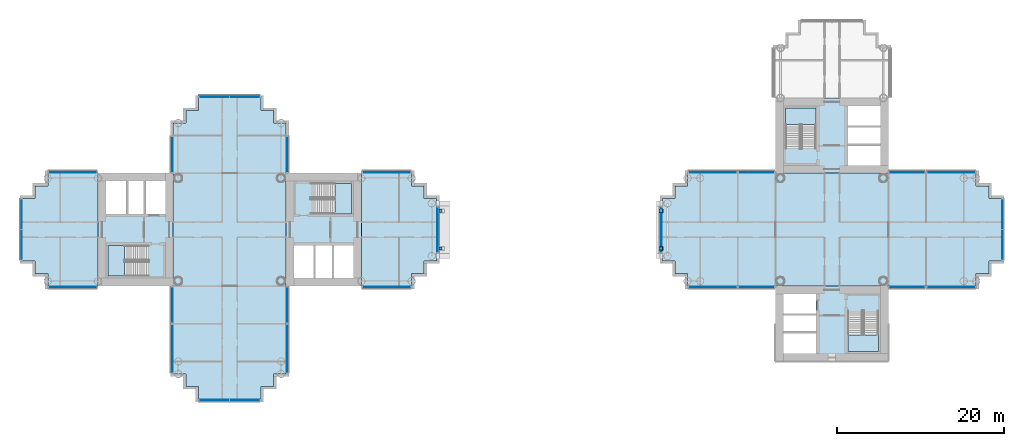
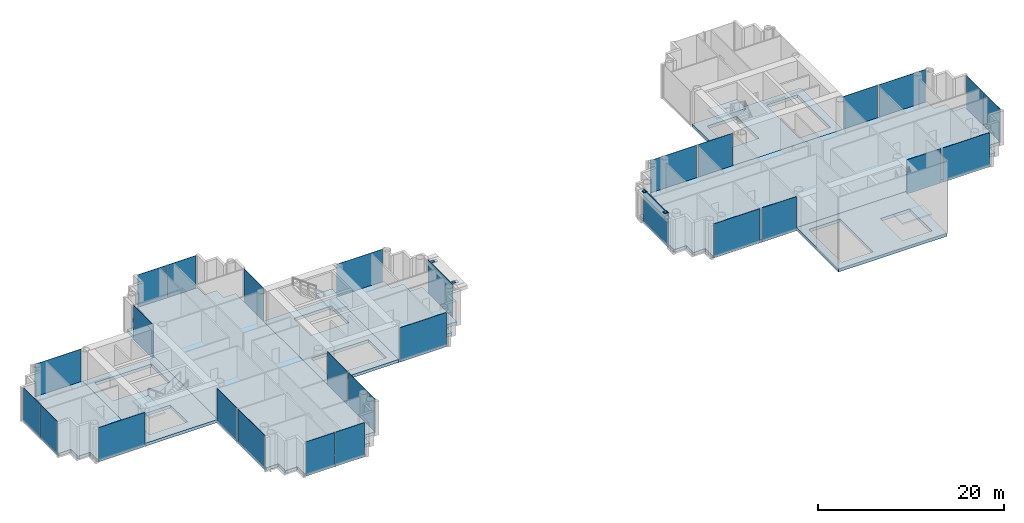
# One storey, part 8 of 20: 28 plates, 12 slabs, 6 members, 28 elements without a shape of their own.
"""IFC4 building model written with IfcOpenShell, lengths in metres."""

from ifc_helpers import new_model, si_unit, direction, frame, origin, origin_2d, place, context, subcontext, project, spatial, polyline, rectangle, outline, extrude, material, layer, layer_set, type_object, element, aggregate, save


model = new_model("IFC4")

# Units and contexts
model_context = context("Model", 3, precision=1e-05, world=origin(), true_north=direction((0.0, 1.0)))
body_context = subcontext(model_context, "Body", "Model", "MODEL_VIEW")
ifc_project = project(units=[si_unit("LENGTHUNIT", "METRE"), si_unit("AREAUNIT", "SQUARE_METRE"), si_unit("VOLUMEUNIT", "CUBIC_METRE"), si_unit("PLANEANGLEUNIT", "RADIAN"), si_unit("MASSUNIT", "GRAM", prefix="KILO")], contexts=[model_context])

# Site, building, storey
site_placement = place(None, origin())
site = spatial("IfcSite", under=ifc_project, at=site_placement, CompositionType="ELEMENT")
building_placement = place(site_placement, origin())
building = spatial("IfcBuilding", under=site, at=building_placement, Name="Ipe Terrace Towers", CompositionType="ELEMENT")
storey_placement = place(building_placement, frame((0.0, 0.0, 124.199951171875)))
storey = spatial("IfcBuildingStorey", under=building, at=storey_placement, Name="L34", CompositionType="ELEMENT", Elevation=124.199951171875)

# Members
ifc_material_1 = material(Name="Steel S355", Category="steel")
member_type_1 = type_object("IfcMemberType", Name="BRIDGE-FIXED BASE PLATE 500x450x20", PredefinedType="PLATE", material=ifc_material_1)
for number, where, z_axis, x_axis, name in (
    (1, (15.550048828125, -2.25, 4.070068359375), (0.0, 0.0, 1.0), (1.0, 0.0, 0.0), "BR2-PL-T2-S base plate"),
    (2, (15.550048828125, 2.25, 4.070068359375), (0.0, 0.0, 1.0), (1.0, 0.0, 0.0), "BR2-PL-T2-N base plate"),
):
    element("IfcMember", number, at=place(storey_placement, frame(where, z_axis=z_axis, x_axis=x_axis)), inside=storey, type_object=member_type_1, Name=name, PredefinedType="PLATE", context=body_context, shape_type="SweptSolid", body=[
        extrude(rectangle(XDim=0.5, YDim=0.449951171875, at=origin_2d()), origin(), (0.0, 0.0, 1.0), 0.02001953125),
    ])
ifc_material_2 = material(Name="Steel S355", Category="steel")
member_type_2 = type_object("IfcMemberType", Name="BRIDGE-FIXED BEARING pinned", PredefinedType="USERDEFINED", material=ifc_material_2)
for number, where, z_axis, x_axis, name in (
    (3, (15.550048828125, -2.25, 4.090087890625), (0.0, 0.0, 1.0), (1.0, 0.0, 0.0), "FIXED BEARING (pinned)"),
    (4, (15.550048828125, 2.25, 4.090087890625), (0.0, 0.0, 1.0), (1.0, 0.0, 0.0), "FIXED BEARING (pinned)"),
):
    element("IfcMember", number, at=place(storey_placement, frame(where, z_axis=z_axis, x_axis=x_axis)), inside=storey, type_object=member_type_2, Name=name, ObjectType="BEARING", PredefinedType="USERDEFINED", context=body_context, shape_type="SweptSolid", body=[
        extrude(rectangle(XDim=0.39990234375, YDim=0.39990234375, at=origin_2d()), origin(), (0.0, 0.0, 1.0), 0.06005859375),
    ])
ifc_material_3 = material(Name="Steel S355", Category="steel")
member_type_3 = type_object("IfcMemberType", Name="BRIDGE-SLIDING BEARING both ways", PredefinedType="USERDEFINED", material=ifc_material_3)
for number, where, z_axis, x_axis, name in (
    (5, (-10.800048828125, -2.25, 4.090087890625), (0.0, 0.0, 1.0), (1.0, 0.0, 0.0), "SLIDING BEARING (slides both horizontal ways)"),
    (6, (-10.800048828125, 2.25, 4.090087890625), (0.0, 0.0, 1.0), (1.0, 0.0, 0.0), "SLIDING BEARING (slides both horizontal ways)"),
):
    element("IfcMember", number, at=place(storey_placement, frame(where, z_axis=z_axis, x_axis=x_axis)), inside=storey, type_object=member_type_3, Name=name, ObjectType="BEARING", PredefinedType="USERDEFINED", context=body_context, shape_type="SweptSolid", body=[
        extrude(rectangle(XDim=0.39990234375, YDim=0.39990234375, at=origin_2d()), origin(), (0.0, 0.0, 1.0), 0.06005859375),
    ])

# Slabs
ifc_material_4 = material(Name="Concrete C30/37", Category="concrete")
ifc_layer_1 = layer(ifc_material_4, 0.39990234375)
ifc_layer_set_1 = layer_set([ifc_layer_1], Name="CORE FLOOR SLAB 400 C30-37")
slab_type_1 = type_object("IfcSlabType", Name="CORE FLOOR SLAB 400 C30-37", PredefinedType="FLOOR", material=ifc_layer_set_1)
slab_1_placement = place(storey_placement, frame((0.0, 0.0, -0.39990234375)))
element("IfcSlab", 7, at=slab_1_placement, inside=storey, type_object=slab_type_1, Name="Core floor T1-C1", PredefinedType="FLOOR", context=body_context, shape_type="SweptSolid", body=[
    extrude(outline(polyline([(-29.25, -6.75), (-29.25, 6.75), (-20.25, 6.75), (-20.25, -6.75), (-29.25, -6.75)]), holes=[polyline([(-28.300048828125, -5.800048828125), (-21.199951171875, -5.800048828125), (-21.199951171875, -1.89990234375), (-28.300048828125, -1.89990234375), (-28.300048828125, -5.800048828125)]), polyline([(-26.199951171875, 5.550048828125), (-26.199951171875, 1.89990234375), (-21.449951171875, 1.89990234375), (-21.449951171875, 5.550048828125), (-26.199951171875, 5.550048828125)])]), origin(), (0.0, 0.0, 1.0), 0.39990234375),
])
slab_2_placement = place(storey_placement, frame((0.0, 0.0, -0.39990234375)))
element("IfcSlab", 8, at=slab_2_placement, inside=storey, type_object=slab_type_1, Name="Core floor T1-C2", PredefinedType="FLOOR", context=body_context, shape_type="SweptSolid", body=[
    extrude(outline(polyline([(-51.75, -6.75), (-51.75, 6.75), (-42.75, 6.75), (-42.75, -6.75), (-51.75, -6.75)]), holes=[polyline([(-45.800048828125, -5.550048828125), (-45.800048828125, -1.89990234375), (-50.550048828125, -1.89990234375), (-50.550048828125, -5.550048828125), (-45.800048828125, -5.550048828125)]), polyline([(-50.800048828125, 1.89990234375), (-43.699951171875, 1.89990234375), (-43.699951171875, 5.800048828125), (-50.800048828125, 5.800048828125), (-50.800048828125, 1.89990234375)])]), origin(), (0.0, 0.0, 1.0), 0.39990234375),
])
slab_3_placement = place(storey_placement, frame((0.0, 0.0, -0.39990234375)))
element("IfcSlab", 9, at=slab_3_placement, inside=storey, type_object=slab_type_1, Name="Core floor T2-C1", PredefinedType="FLOOR", context=body_context, shape_type="SweptSolid", body=[
    extrude(outline(polyline([(29.25, 6.75), (29.25, 15.75), (42.75, 15.75), (42.75, 6.75), (29.25, 6.75)]), holes=[polyline([(41.800048828125, 7.699951171875), (41.800048828125, 14.800048828125), (37.89990234375, 14.800048828125), (37.89990234375, 7.699951171875), (41.800048828125, 7.699951171875)]), polyline([(30.449951171875, 9.800048828125), (34.10009765625, 9.800048828125), (34.10009765625, 14.550048828125), (30.449951171875, 14.550048828125), (30.449951171875, 9.800048828125)])]), origin(), (0.0, 0.0, 1.0), 0.39990234375),
])
slab_4_placement = place(storey_placement, frame((0.0, 0.0, -0.39990234375)))
element("IfcSlab", 10, at=slab_4_placement, inside=storey, type_object=slab_type_1, Name="Core floor T2-C2", PredefinedType="FLOOR", context=body_context, shape_type="SweptSolid", body=[
    extrude(outline(polyline([(29.25, -15.75), (29.25, -6.75), (42.75, -6.75), (42.75, -15.75), (29.25, -15.75)]), holes=[polyline([(34.10009765625, -14.800048828125), (34.10009765625, -7.699951171875), (30.199951171875, -7.699951171875), (30.199951171875, -14.800048828125), (34.10009765625, -14.800048828125)]), polyline([(41.550048828125, -9.800048828125), (37.89990234375, -9.800048828125), (37.89990234375, -14.550048828125), (41.550048828125, -14.550048828125), (41.550048828125, -9.800048828125)])]), origin(), (0.0, 0.0, 1.0), 0.39990234375),
])

# Stair, slab
ifc_material_5 = material(Name="Concrete C30/37", Category="concrete")
stair_type = type_object("IfcStairType", Name="Protected exit stair", PredefinedType="HALF_TURN_STAIR", material=ifc_material_5)
stair_1_placement = place(storey_placement, origin())
stair_1 = element("IfcStair", 11, at=stair_1_placement, inside=storey, type_object=stair_type, Name="L34 Exit stair T1-C1", PredefinedType="HALF_TURN_STAIR")
ifc_material_6 = material(Name="Concrete C30/37", Category="concrete")
ifc_layer_2 = layer(ifc_material_6, 0.199951171875)
ifc_layer_set_2 = layer_set([ifc_layer_2], Name="Exit stair landing 200")
slab_type_2 = type_object("IfcSlabType", Name="Exit stair landing 200", PredefinedType="LANDING", material=ifc_layer_set_2)
slab_5_placement = place(storey_placement, frame((0.0, 0.0, 2.050048828125)))
slab_5 = element("IfcSlab", 12, at=slab_5_placement, type_object=slab_type_2, Name="T1-ST1 landing 1", PredefinedType="LANDING", context=body_context, shape_type="SweptSolid", body=[
    extrude(outline(polyline([(-23.43994140625, 1.89990234375), (-21.449951171875, 1.89990234375), (-21.449951171875, 5.550048828125), (-23.43994140625, 5.550048828125), (-23.43994140625, 1.89990234375)])), origin(), (0.0, 0.0, 1.0), 0.199951171875),
])
aggregate(stair_1, [slab_5])

stair_2_placement = place(storey_placement, origin())
stair_2 = element("IfcStair", 13, at=stair_2_placement, inside=storey, type_object=stair_type, Name="L34 Exit stair T1-C2", PredefinedType="HALF_TURN_STAIR")
slab_6_placement = place(storey_placement, frame((0.0, 0.0, 2.050048828125)))
slab_6 = element("IfcSlab", 14, at=slab_6_placement, type_object=slab_type_2, Name="T1-ST2 landing 1", PredefinedType="LANDING", context=body_context, shape_type="SweptSolid", body=[
    extrude(outline(polyline([(-48.56005859375, -1.89990234375), (-50.550048828125, -1.89990234375), (-50.550048828125, -5.550048828125), (-48.56005859375, -5.550048828125), (-48.56005859375, -1.89990234375)])), origin(), (0.0, 0.0, 1.0), 0.199951171875),
])
aggregate(stair_2, [slab_6])

stair_3_placement = place(storey_placement, origin())
stair_3 = element("IfcStair", 15, at=stair_3_placement, inside=storey, type_object=stair_type, Name="L34 Exit stair T2-C1", PredefinedType="HALF_TURN_STAIR")
slab_7_placement = place(storey_placement, frame((0.0, 0.0, 2.050048828125)))
slab_7 = element("IfcSlab", 16, at=slab_7_placement, type_object=slab_type_2, Name="T2-ST1 landing 1", PredefinedType="LANDING", context=body_context, shape_type="SweptSolid", body=[
    extrude(outline(polyline([(34.10009765625, 12.56005859375), (34.10009765625, 14.550048828125), (30.449951171875, 14.550048828125), (30.449951171875, 12.56005859375), (34.10009765625, 12.56005859375)])), origin(), (0.0, 0.0, 1.0), 0.199951171875),
])
aggregate(stair_3, [slab_7])

stair_4_placement = place(storey_placement, origin())
stair_4 = element("IfcStair", 17, at=stair_4_placement, inside=storey, type_object=stair_type, Name="L34 Exit stair T2-C2", PredefinedType="HALF_TURN_STAIR")
slab_8_placement = place(storey_placement, frame((0.0, 0.0, 2.050048828125)))
slab_8 = element("IfcSlab", 18, at=slab_8_placement, type_object=slab_type_2, Name="T2-ST2 landing 1", PredefinedType="LANDING", context=body_context, shape_type="SweptSolid", body=[
    extrude(outline(polyline([(37.89990234375, -12.56005859375), (37.89990234375, -14.550048828125), (41.550048828125, -14.550048828125), (41.550048828125, -12.56005859375), (37.89990234375, -12.56005859375)])), origin(), (0.0, 0.0, 1.0), 0.199951171875),
])
aggregate(stair_4, [slab_8])

# Slabs
ifc_material_7 = material(Name="Concrete C40/50", Category="concrete")
ifc_layer_3 = layer(ifc_material_7, 0.39990234375)
ifc_layer_set_3 = layer_set([ifc_layer_3], Name="FLAT PLATE SLAB 400 C40-50")
slab_type_3 = type_object("IfcSlabType", Name="FLAT PLATE SLAB 400 C40-50", PredefinedType="FLOOR", material=ifc_layer_set_3)
slab_9_placement = place(storey_placement, frame((0.0, 0.0, -0.39990234375)))
element("IfcSlab", 19, at=slab_9_placement, inside=storey, type_object=slab_type_3, Name="Slab T1-FS-Z21", PredefinedType="FLOOR", context=body_context, shape_type="SweptSolid", body=[
    extrude(outline(polyline([(-30.75, -17.25), (-30.75, -18.75), (-32.25, -18.75), (-32.25, -20.25), (-39.75, -20.25), (-39.75, -18.75), (-41.25, -18.75), (-41.25, -17.25), (-42.75, -17.25), (-42.75, -6.75), (-42.75, 6.75), (-42.75, 12.75), (-41.25, 12.75), (-41.25, 14.25), (-39.75, 14.25), (-39.75, 15.75), (-32.25, 15.75), (-32.25, 14.25), (-30.75, 14.25), (-30.75, 12.75), (-29.25, 12.75), (-29.25, 6.75), (-29.25, -6.75), (-29.25, -17.25), (-30.75, -17.25)])), origin(), (0.0, 0.0, 1.0), 0.39990234375),
])
slab_10_placement = place(storey_placement, frame((0.0, 0.0, -0.39990234375)))
element("IfcSlab", 20, at=slab_10_placement, inside=storey, type_object=slab_type_3, Name="Slab T1-FS-Z22", PredefinedType="FLOOR", context=body_context, shape_type="SweptSolid", body=[
    extrude(outline(polyline([(-57.75, -6.75), (-57.75, -5.25), (-59.25, -5.25), (-59.25, -3.75), (-60.75, -3.75), (-60.75, 3.75), (-59.25, 3.75), (-59.25, 5.25), (-57.75, 5.25), (-57.75, 6.75), (-51.75, 6.75), (-51.75, -6.75), (-57.75, -6.75)])), origin(), (0.0, 0.0, 1.0), 0.39990234375),
])
slab_11_placement = place(storey_placement, frame((0.0, 0.0, -0.39990234375)))
element("IfcSlab", 21, at=slab_11_placement, inside=storey, type_object=slab_type_3, Name="Slab T1-FS-Z23", PredefinedType="FLOOR", context=body_context, shape_type="SweptSolid", body=[
    extrude(outline(polyline([(-14.25, 5.25), (-12.75, 5.25), (-12.75, 3.75), (-11.25, 3.75), (-11.25, -3.75), (-12.75, -3.75), (-12.75, -5.25), (-14.25, -5.25), (-14.25, -6.75), (-20.25, -6.75), (-20.25, 6.75), (-14.25, 6.75), (-14.25, 5.25)])), origin(), (0.0, 0.0, 1.0), 0.39990234375),
])
slab_12_placement = place(storey_placement, frame((0.0, 0.0, -0.39990234375)))
element("IfcSlab", 22, at=slab_12_placement, inside=storey, type_object=slab_type_3, Name="Slab T2-FS-Z21", PredefinedType="FLOOR", context=body_context, shape_type="SweptSolid", body=[
    extrude(outline(polyline([(53.25, 5.25), (54.75, 5.25), (54.75, 3.75), (56.25, 3.75), (56.25, -3.75), (54.75, -3.75), (54.75, -5.25), (53.25, -5.25), (53.25, -6.75), (42.75, -6.75), (29.25, -6.75), (18.75, -6.75), (18.75, -5.25), (17.25, -5.25), (17.25, -3.75), (15.75, -3.75), (15.75, 3.75), (17.25, 3.75), (17.25, 5.25), (18.75, 5.25), (18.75, 6.75), (29.25, 6.75), (42.75, 6.75), (53.25, 6.75), (53.25, 5.25)])), origin(), (0.0, 0.0, 1.0), 0.39990234375),
])

# Curtain wall, plate
ifc_material_8 = material(Name="Aluminium alloy 6063-T6", Category="aluminium")
ifc_layer_4 = layer(ifc_material_8, 0.320068359375)
ifc_layer_set_4 = layer_set([ifc_layer_4], Name="PLANT LOUVRE CURTAIN WALL")
curtain_wall_type = type_object("IfcCurtainWallType", Name="PLANT LOUVRE CURTAIN WALL", PredefinedType="NOTDEFINED", material=ifc_layer_set_4)
curtain_wall_1_placement = place(storey_placement, origin())
curtain_wall_1 = element("IfcCurtainWall", 23, at=curtain_wall_1_placement, inside=storey, type_object=curtain_wall_type, Name="T1-CW-L34-04a curtain wall", PredefinedType="NOTDEFINED")
ifc_material_9 = material(Name="Aluminium alloy 6063-T6 louvre", Category="aluminium")
ifc_layer_5 = layer(ifc_material_9, 0.050048828125)
ifc_layer_set_5 = layer_set([ifc_layer_5], Name="PLANT LOUVRE LOUVRE PANEL 50")
plate_type = type_object("IfcPlateType", Name="PLANT LOUVRE LOUVRE PANEL 50", PredefinedType="CURTAIN_PANEL", material=ifc_layer_set_5)
plate_1_placement = place(storey_placement, frame((-54.75048828125, -6.860107421875, -0.300048828125), z_axis=(0.0, 0.0, 1.0), x_axis=(1.0, 0.0, 0.0)))
plate_1 = element("IfcPlate", 24, at=plate_1_placement, type_object=plate_type, Name="T1-CW-L34-04a panel 1", PredefinedType="CURTAIN_PANEL", context=body_context, shape_type="SweptSolid", body=[
    extrude(rectangle(XDim=5.739013671875, YDim=0.050048828125, at=origin_2d()), origin(), (0.0, 0.0, 1.0), 4.5),
])
aggregate(curtain_wall_1, [plate_1])

curtain_wall_2_placement = place(storey_placement, origin())
curtain_wall_2 = element("IfcCurtainWall", 25, at=curtain_wall_2_placement, inside=storey, type_object=curtain_wall_type, Name="T1-CW-L34-06a curtain wall", PredefinedType="NOTDEFINED")
plate_2_placement = place(storey_placement, frame((-42.860107421875, -9.0, -0.300048828125), z_axis=(0.0, 0.0, 1.0), x_axis=(0.0, -1.0, 0.0)))
plate_2 = element("IfcPlate", 26, at=plate_2_placement, type_object=plate_type, Name="T1-CW-L34-06a panel 1", PredefinedType="CURTAIN_PANEL", context=body_context, shape_type="SweptSolid", body=[
    extrude(rectangle(XDim=4.239990234375, YDim=0.050048828125, at=origin_2d()), origin(), (0.0, 0.0, 1.0), 4.5),
])
aggregate(curtain_wall_2, [plate_2])

curtain_wall_3_placement = place(storey_placement, origin())
curtain_wall_3 = element("IfcCurtainWall", 27, at=curtain_wall_3_placement, inside=storey, type_object=curtain_wall_type, Name="T1-CW-L34-07a curtain wall", PredefinedType="NOTDEFINED")
plate_3_placement = place(storey_placement, frame((-42.860107421875, -14.25, -0.300048828125), z_axis=(0.0, 0.0, 1.0), x_axis=(0.0, -1.0, 0.0)))
plate_3 = element("IfcPlate", 28, at=plate_3_placement, type_object=plate_type, Name="T1-CW-L34-07a panel 1", PredefinedType="CURTAIN_PANEL", context=body_context, shape_type="SweptSolid", body=[
    extrude(rectangle(XDim=5.739990234375, YDim=0.050048828125, at=origin_2d()), origin(), (0.0, 0.0, 1.0), 4.5),
])
aggregate(curtain_wall_3, [plate_3])

# Curtain wall, plates
curtain_wall_4_placement = place(storey_placement, origin())
curtain_wall_4 = element("IfcCurtainWall", 29, at=curtain_wall_4_placement, inside=storey, type_object=curtain_wall_type, Name="T1-CW-L34-12a curtain wall", PredefinedType="NOTDEFINED")
plate_4_placement = place(storey_placement, frame((-37.827392578125, -20.360107421875, -0.300048828125), z_axis=(0.0, 0.0, 1.0), x_axis=(1.0, 0.0, 0.0)))
plate_4 = element("IfcPlate", 30, at=plate_4_placement, type_object=plate_type, Name="T1-CW-L34-12a panel 1", PredefinedType="CURTAIN_PANEL", context=body_context, shape_type="SweptSolid", body=[
    extrude(rectangle(XDim=3.5849609375, YDim=0.050048828125, at=origin_2d()), origin(), (0.0, 0.0, 1.0), 4.5),
])
plate_5_placement = place(storey_placement, frame((-34.172607421875, -20.360107421875, -0.300048828125), z_axis=(0.0, 0.0, 1.0), x_axis=(1.0, 0.0, 0.0)))
plate_5 = element("IfcPlate", 31, at=plate_5_placement, type_object=plate_type, Name="T1-CW-L34-12a panel 2", PredefinedType="CURTAIN_PANEL", context=body_context, shape_type="SweptSolid", body=[
    extrude(rectangle(XDim=3.5849609375, YDim=0.050048828125, at=origin_2d()), origin(), (0.0, 0.0, 1.0), 4.5),
])
aggregate(curtain_wall_4, [plate_4, plate_5])

# Curtain wall, plate
curtain_wall_5_placement = place(storey_placement, origin())
curtain_wall_5 = element("IfcCurtainWall", 32, at=curtain_wall_5_placement, inside=storey, type_object=curtain_wall_type, Name="T1-CW-L34-17a curtain wall", PredefinedType="NOTDEFINED")
plate_6_placement = place(storey_placement, frame((-29.139892578125, -14.25, -0.300048828125), z_axis=(0.0, 0.0, 1.0), x_axis=(0.0, 1.0, 0.0)))
plate_6 = element("IfcPlate", 33, at=plate_6_placement, type_object=plate_type, Name="T1-CW-L34-17a panel 1", PredefinedType="CURTAIN_PANEL", context=body_context, shape_type="SweptSolid", body=[
    extrude(rectangle(XDim=5.739990234375, YDim=0.050048828125, at=origin_2d()), origin(), (0.0, 0.0, 1.0), 4.5),
])
aggregate(curtain_wall_5, [plate_6])

curtain_wall_6_placement = place(storey_placement, origin())
curtain_wall_6 = element("IfcCurtainWall", 34, at=curtain_wall_6_placement, inside=storey, type_object=curtain_wall_type, Name="T1-CW-L34-18a curtain wall", PredefinedType="NOTDEFINED")
plate_7_placement = place(storey_placement, frame((-29.139892578125, -9.0, -0.300048828125), z_axis=(0.0, 0.0, 1.0), x_axis=(0.0, 1.0, 0.0)))
plate_7 = element("IfcPlate", 35, at=plate_7_placement, type_object=plate_type, Name="T1-CW-L34-18a panel 1", PredefinedType="CURTAIN_PANEL", context=body_context, shape_type="SweptSolid", body=[
    extrude(rectangle(XDim=4.239990234375, YDim=0.050048828125, at=origin_2d()), origin(), (0.0, 0.0, 1.0), 4.5),
])
aggregate(curtain_wall_6, [plate_7])

curtain_wall_7_placement = place(storey_placement, origin())
curtain_wall_7 = element("IfcCurtainWall", 36, at=curtain_wall_7_placement, inside=storey, type_object=curtain_wall_type, Name="T1-CW-L34-20b curtain wall", PredefinedType="NOTDEFINED")
plate_8_placement = place(storey_placement, frame((-17.24951171875, -6.860107421875, -0.300048828125), z_axis=(0.0, 0.0, 1.0), x_axis=(1.0, 0.0, 0.0)))
plate_8 = element("IfcPlate", 37, at=plate_8_placement, type_object=plate_type, Name="T1-CW-L34-20b panel 1", PredefinedType="CURTAIN_PANEL", context=body_context, shape_type="SweptSolid", body=[
    extrude(rectangle(XDim=5.739013671875, YDim=0.050048828125, at=origin_2d()), origin(), (0.0, 0.0, 1.0), 4.5),
])
aggregate(curtain_wall_7, [plate_8])

curtain_wall_8_placement = place(storey_placement, origin())
curtain_wall_8 = element("IfcCurtainWall", 38, at=curtain_wall_8_placement, inside=storey, type_object=curtain_wall_type, Name="T1-CW-L34-25d curtain wall", PredefinedType="NOTDEFINED")
plate_9_placement = place(storey_placement, frame((-11.139892578125, 0.0, -0.300048828125), z_axis=(0.0, 0.0, 1.0), x_axis=(0.0, 1.0, 0.0)))
plate_9 = element("IfcPlate", 39, at=plate_9_placement, type_object=plate_type, Name="T1-CW-L34-25d panel 1", PredefinedType="CURTAIN_PANEL", context=body_context, shape_type="SweptSolid", body=[
    extrude(rectangle(XDim=5.340087890625, YDim=0.050048828125, at=origin_2d()), origin(), (0.0, 0.0, 1.0), 4.5),
])
aggregate(curtain_wall_8, [plate_9])

curtain_wall_9_placement = place(storey_placement, origin())
curtain_wall_9 = element("IfcCurtainWall", 40, at=curtain_wall_9_placement, inside=storey, type_object=curtain_wall_type, Name="T1-CW-L34-30a curtain wall", PredefinedType="NOTDEFINED")
plate_10_placement = place(storey_placement, frame((-17.24951171875, 6.860107421875, -0.300048828125), z_axis=(0.0, 0.0, 1.0), x_axis=(-1.0, 0.0, 0.0)))
plate_10 = element("IfcPlate", 41, at=plate_10_placement, type_object=plate_type, Name="T1-CW-L34-30a panel 1", PredefinedType="CURTAIN_PANEL", context=body_context, shape_type="SweptSolid", body=[
    extrude(rectangle(XDim=5.739013671875, YDim=0.050048828125, at=origin_2d()), origin(), (0.0, 0.0, 1.0), 4.5),
])
aggregate(curtain_wall_9, [plate_10])

curtain_wall_10_placement = place(storey_placement, origin())
curtain_wall_10 = element("IfcCurtainWall", 42, at=curtain_wall_10_placement, inside=storey, type_object=curtain_wall_type, Name="T1-CW-L34-32a curtain wall", PredefinedType="NOTDEFINED")
plate_11_placement = place(storey_placement, frame((-29.139892578125, 9.0, -0.300048828125), z_axis=(0.0, 0.0, 1.0), x_axis=(0.0, 1.0, 0.0)))
plate_11 = element("IfcPlate", 43, at=plate_11_placement, type_object=plate_type, Name="T1-CW-L34-32a panel 1", PredefinedType="CURTAIN_PANEL", context=body_context, shape_type="SweptSolid", body=[
    extrude(rectangle(XDim=4.239990234375, YDim=0.050048828125, at=origin_2d()), origin(), (0.0, 0.0, 1.0), 4.5),
])
aggregate(curtain_wall_10, [plate_11])

# Curtain wall, plates
curtain_wall_11_placement = place(storey_placement, origin())
curtain_wall_11 = element("IfcCurtainWall", 44, at=curtain_wall_11_placement, inside=storey, type_object=curtain_wall_type, Name="T1-CW-L34-38a curtain wall", PredefinedType="NOTDEFINED")
plate_12_placement = place(storey_placement, frame((-34.172607421875, 15.860107421875, -0.300048828125), z_axis=(0.0, 0.0, 1.0), x_axis=(-1.0, 0.0, 0.0)))
plate_12 = element("IfcPlate", 45, at=plate_12_placement, type_object=plate_type, Name="T1-CW-L34-38a panel 1", PredefinedType="CURTAIN_PANEL", context=body_context, shape_type="SweptSolid", body=[
    extrude(rectangle(XDim=3.5849609375, YDim=0.050048828125, at=origin_2d()), origin(), (0.0, 0.0, 1.0), 4.5),
])
plate_13_placement = place(storey_placement, frame((-37.827392578125, 15.860107421875, -0.300048828125), z_axis=(0.0, 0.0, 1.0), x_axis=(-1.0, 0.0, 0.0)))
plate_13 = element("IfcPlate", 46, at=plate_13_placement, type_object=plate_type, Name="T1-CW-L34-38a panel 2", PredefinedType="CURTAIN_PANEL", context=body_context, shape_type="SweptSolid", body=[
    extrude(rectangle(XDim=3.5849609375, YDim=0.050048828125, at=origin_2d()), origin(), (0.0, 0.0, 1.0), 4.5),
])
aggregate(curtain_wall_11, [plate_12, plate_13])

# Curtain wall, plate
curtain_wall_12_placement = place(storey_placement, origin())
curtain_wall_12 = element("IfcCurtainWall", 47, at=curtain_wall_12_placement, inside=storey, type_object=curtain_wall_type, Name="T1-CW-L34-44a curtain wall", PredefinedType="NOTDEFINED")
plate_14_placement = place(storey_placement, frame((-42.860107421875, 9.0, -0.300048828125), z_axis=(0.0, 0.0, 1.0), x_axis=(0.0, -1.0, 0.0)))
plate_14 = element("IfcPlate", 48, at=plate_14_placement, type_object=plate_type, Name="T1-CW-L34-44a panel 1", PredefinedType="CURTAIN_PANEL", context=body_context, shape_type="SweptSolid", body=[
    extrude(rectangle(XDim=4.239990234375, YDim=0.050048828125, at=origin_2d()), origin(), (0.0, 0.0, 1.0), 4.5),
])
aggregate(curtain_wall_12, [plate_14])

curtain_wall_13_placement = place(storey_placement, origin())
curtain_wall_13 = element("IfcCurtainWall", 49, at=curtain_wall_13_placement, inside=storey, type_object=curtain_wall_type, Name="T1-CW-L34-46b curtain wall", PredefinedType="NOTDEFINED")
plate_15_placement = place(storey_placement, frame((-54.75048828125, 6.860107421875, -0.300048828125), z_axis=(0.0, 0.0, 1.0), x_axis=(-1.0, 0.0, 0.0)))
plate_15 = element("IfcPlate", 50, at=plate_15_placement, type_object=plate_type, Name="T1-CW-L34-46b panel 1", PredefinedType="CURTAIN_PANEL", context=body_context, shape_type="SweptSolid", body=[
    extrude(rectangle(XDim=5.739013671875, YDim=0.050048828125, at=origin_2d()), origin(), (0.0, 0.0, 1.0), 4.5),
])
aggregate(curtain_wall_13, [plate_15])

# Curtain wall, plates
curtain_wall_14_placement = place(storey_placement, origin())
curtain_wall_14 = element("IfcCurtainWall", 51, at=curtain_wall_14_placement, inside=storey, type_object=curtain_wall_type, Name="T1-CW-L34-51a curtain wall", PredefinedType="NOTDEFINED")
plate_16_placement = place(storey_placement, frame((-60.860107421875, 1.827392578125, -0.300048828125), z_axis=(0.0, 0.0, 1.0), x_axis=(0.0, -1.0, 0.0)))
plate_16 = element("IfcPlate", 52, at=plate_16_placement, type_object=plate_type, Name="T1-CW-L34-51a panel 1", PredefinedType="CURTAIN_PANEL", context=body_context, shape_type="SweptSolid", body=[
    extrude(rectangle(XDim=3.5849609375, YDim=0.050048828125, at=origin_2d()), origin(), (0.0, 0.0, 1.0), 4.5),
])
plate_17_placement = place(storey_placement, frame((-60.860107421875, -1.827392578125, -0.300048828125), z_axis=(0.0, 0.0, 1.0), x_axis=(0.0, -1.0, 0.0)))
plate_17 = element("IfcPlate", 53, at=plate_17_placement, type_object=plate_type, Name="T1-CW-L34-51a panel 2", PredefinedType="CURTAIN_PANEL", context=body_context, shape_type="SweptSolid", body=[
    extrude(rectangle(XDim=3.5849609375, YDim=0.050048828125, at=origin_2d()), origin(), (0.0, 0.0, 1.0), 4.5),
])
aggregate(curtain_wall_14, [plate_16, plate_17])

# Curtain wall, plate
curtain_wall_15_placement = place(storey_placement, origin())
curtain_wall_15 = element("IfcCurtainWall", 54, at=curtain_wall_15_placement, inside=storey, type_object=curtain_wall_type, Name="T2-CW-L34-02a curtain wall", PredefinedType="NOTDEFINED")
plate_18_placement = place(storey_placement, frame((45.0, -6.860107421875, -0.300048828125), z_axis=(0.0, 0.0, 1.0), x_axis=(1.0, 0.0, 0.0)))
plate_18 = element("IfcPlate", 55, at=plate_18_placement, type_object=plate_type, Name="T2-CW-L34-02a panel 1", PredefinedType="CURTAIN_PANEL", context=body_context, shape_type="SweptSolid", body=[
    extrude(rectangle(XDim=4.239990234375, YDim=0.050048828125, at=origin_2d()), origin(), (0.0, 0.0, 1.0), 4.5),
])
aggregate(curtain_wall_15, [plate_18])

curtain_wall_16_placement = place(storey_placement, origin())
curtain_wall_16 = element("IfcCurtainWall", 56, at=curtain_wall_16_placement, inside=storey, type_object=curtain_wall_type, Name="T2-CW-L34-03a curtain wall", PredefinedType="NOTDEFINED")
plate_19_placement = place(storey_placement, frame((50.25, -6.860107421875, -0.300048828125), z_axis=(0.0, 0.0, 1.0), x_axis=(1.0, 0.0, 0.0)))
plate_19 = element("IfcPlate", 57, at=plate_19_placement, type_object=plate_type, Name="T2-CW-L34-03a panel 1", PredefinedType="CURTAIN_PANEL", context=body_context, shape_type="SweptSolid", body=[
    extrude(rectangle(XDim=5.739990234375, YDim=0.050048828125, at=origin_2d()), origin(), (0.0, 0.0, 1.0), 4.5),
])
aggregate(curtain_wall_16, [plate_19])

# Curtain wall, plates
curtain_wall_17_placement = place(storey_placement, origin())
curtain_wall_17 = element("IfcCurtainWall", 58, at=curtain_wall_17_placement, inside=storey, type_object=curtain_wall_type, Name="T2-CW-L34-08a curtain wall", PredefinedType="NOTDEFINED")
plate_20_placement = place(storey_placement, frame((56.360107421875, -1.827392578125, -0.300048828125), z_axis=(0.0, 0.0, 1.0), x_axis=(0.0, 1.0, 0.0)))
plate_20 = element("IfcPlate", 59, at=plate_20_placement, type_object=plate_type, Name="T2-CW-L34-08a panel 1", PredefinedType="CURTAIN_PANEL", context=body_context, shape_type="SweptSolid", body=[
    extrude(rectangle(XDim=3.5849609375, YDim=0.050048828125, at=origin_2d()), origin(), (0.0, 0.0, 1.0), 4.5),
])
plate_21_placement = place(storey_placement, frame((56.360107421875, 1.827392578125, -0.300048828125), z_axis=(0.0, 0.0, 1.0), x_axis=(0.0, 1.0, 0.0)))
plate_21 = element("IfcPlate", 60, at=plate_21_placement, type_object=plate_type, Name="T2-CW-L34-08a panel 2", PredefinedType="CURTAIN_PANEL", context=body_context, shape_type="SweptSolid", body=[
    extrude(rectangle(XDim=3.5849609375, YDim=0.050048828125, at=origin_2d()), origin(), (0.0, 0.0, 1.0), 4.5),
])
aggregate(curtain_wall_17, [plate_20, plate_21])

# Curtain wall, plate
curtain_wall_18_placement = place(storey_placement, origin())
curtain_wall_18 = element("IfcCurtainWall", 61, at=curtain_wall_18_placement, inside=storey, type_object=curtain_wall_type, Name="T2-CW-L34-13a curtain wall", PredefinedType="NOTDEFINED")
plate_22_placement = place(storey_placement, frame((50.25, 6.860107421875, -0.300048828125), z_axis=(0.0, 0.0, 1.0), x_axis=(-1.0, 0.0, 0.0)))
plate_22 = element("IfcPlate", 62, at=plate_22_placement, type_object=plate_type, Name="T2-CW-L34-13a panel 1", PredefinedType="CURTAIN_PANEL", context=body_context, shape_type="SweptSolid", body=[
    extrude(rectangle(XDim=5.739990234375, YDim=0.050048828125, at=origin_2d()), origin(), (0.0, 0.0, 1.0), 4.5),
])
aggregate(curtain_wall_18, [plate_22])

curtain_wall_19_placement = place(storey_placement, origin())
curtain_wall_19 = element("IfcCurtainWall", 63, at=curtain_wall_19_placement, inside=storey, type_object=curtain_wall_type, Name="T2-CW-L34-14a curtain wall", PredefinedType="NOTDEFINED")
plate_23_placement = place(storey_placement, frame((45.0, 6.860107421875, -0.300048828125), z_axis=(0.0, 0.0, 1.0), x_axis=(-1.0, 0.0, 0.0)))
plate_23 = element("IfcPlate", 64, at=plate_23_placement, type_object=plate_type, Name="T2-CW-L34-14a panel 1", PredefinedType="CURTAIN_PANEL", context=body_context, shape_type="SweptSolid", body=[
    extrude(rectangle(XDim=4.239990234375, YDim=0.050048828125, at=origin_2d()), origin(), (0.0, 0.0, 1.0), 4.5),
])
aggregate(curtain_wall_19, [plate_23])

curtain_wall_20_placement = place(storey_placement, origin())
curtain_wall_20 = element("IfcCurtainWall", 65, at=curtain_wall_20_placement, inside=storey, type_object=curtain_wall_type, Name="T2-CW-L34-28a curtain wall", PredefinedType="NOTDEFINED")
plate_24_placement = place(storey_placement, frame((27.0, 6.860107421875, -0.300048828125), z_axis=(0.0, 0.0, 1.0), x_axis=(-1.0, 0.0, 0.0)))
plate_24 = element("IfcPlate", 66, at=plate_24_placement, type_object=plate_type, Name="T2-CW-L34-28a panel 1", PredefinedType="CURTAIN_PANEL", context=body_context, shape_type="SweptSolid", body=[
    extrude(rectangle(XDim=4.239990234375, YDim=0.050048828125, at=origin_2d()), origin(), (0.0, 0.0, 1.0), 4.5),
])
aggregate(curtain_wall_20, [plate_24])

curtain_wall_21_placement = place(storey_placement, origin())
curtain_wall_21 = element("IfcCurtainWall", 67, at=curtain_wall_21_placement, inside=storey, type_object=curtain_wall_type, Name="T2-CW-L34-29a curtain wall", PredefinedType="NOTDEFINED")
plate_25_placement = place(storey_placement, frame((21.75, 6.860107421875, -0.300048828125), z_axis=(0.0, 0.0, 1.0), x_axis=(-1.0, 0.0, 0.0)))
plate_25 = element("IfcPlate", 68, at=plate_25_placement, type_object=plate_type, Name="T2-CW-L34-29a panel 1", PredefinedType="CURTAIN_PANEL", context=body_context, shape_type="SweptSolid", body=[
    extrude(rectangle(XDim=5.739990234375, YDim=0.050048828125, at=origin_2d()), origin(), (0.0, 0.0, 1.0), 4.5),
])
aggregate(curtain_wall_21, [plate_25])

curtain_wall_22_placement = place(storey_placement, origin())
curtain_wall_22 = element("IfcCurtainWall", 69, at=curtain_wall_22_placement, inside=storey, type_object=curtain_wall_type, Name="T2-CW-L34-34d curtain wall", PredefinedType="NOTDEFINED")
plate_26_placement = place(storey_placement, frame((15.639892578125, 0.0, -0.300048828125), z_axis=(0.0, 0.0, 1.0), x_axis=(0.0, -1.0, 0.0)))
plate_26 = element("IfcPlate", 70, at=plate_26_placement, type_object=plate_type, Name="T2-CW-L34-34d panel 1", PredefinedType="CURTAIN_PANEL", context=body_context, shape_type="SweptSolid", body=[
    extrude(rectangle(XDim=5.340087890625, YDim=0.050048828125, at=origin_2d()), origin(), (0.0, 0.0, 1.0), 4.5),
])
aggregate(curtain_wall_22, [plate_26])

curtain_wall_23_placement = place(storey_placement, origin())
curtain_wall_23 = element("IfcCurtainWall", 71, at=curtain_wall_23_placement, inside=storey, type_object=curtain_wall_type, Name="T2-CW-L34-39a curtain wall", PredefinedType="NOTDEFINED")
plate_27_placement = place(storey_placement, frame((21.75, -6.860107421875, -0.300048828125), z_axis=(0.0, 0.0, 1.0), x_axis=(1.0, 0.0, 0.0)))
plate_27 = element("IfcPlate", 72, at=plate_27_placement, type_object=plate_type, Name="T2-CW-L34-39a panel 1", PredefinedType="CURTAIN_PANEL", context=body_context, shape_type="SweptSolid", body=[
    extrude(rectangle(XDim=5.739990234375, YDim=0.050048828125, at=origin_2d()), origin(), (0.0, 0.0, 1.0), 4.5),
])
aggregate(curtain_wall_23, [plate_27])

curtain_wall_24_placement = place(storey_placement, origin())
curtain_wall_24 = element("IfcCurtainWall", 73, at=curtain_wall_24_placement, inside=storey, type_object=curtain_wall_type, Name="T2-CW-L34-40a curtain wall", PredefinedType="NOTDEFINED")
plate_28_placement = place(storey_placement, frame((27.0, -6.860107421875, -0.300048828125), z_axis=(0.0, 0.0, 1.0), x_axis=(1.0, 0.0, 0.0)))
plate_28 = element("IfcPlate", 74, at=plate_28_placement, type_object=plate_type, Name="T2-CW-L34-40a panel 1", PredefinedType="CURTAIN_PANEL", context=body_context, shape_type="SweptSolid", body=[
    extrude(rectangle(XDim=4.239990234375, YDim=0.050048828125, at=origin_2d()), origin(), (0.0, 0.0, 1.0), 4.5),
])
aggregate(curtain_wall_24, [plate_28])

save(model, "model.ifc")
